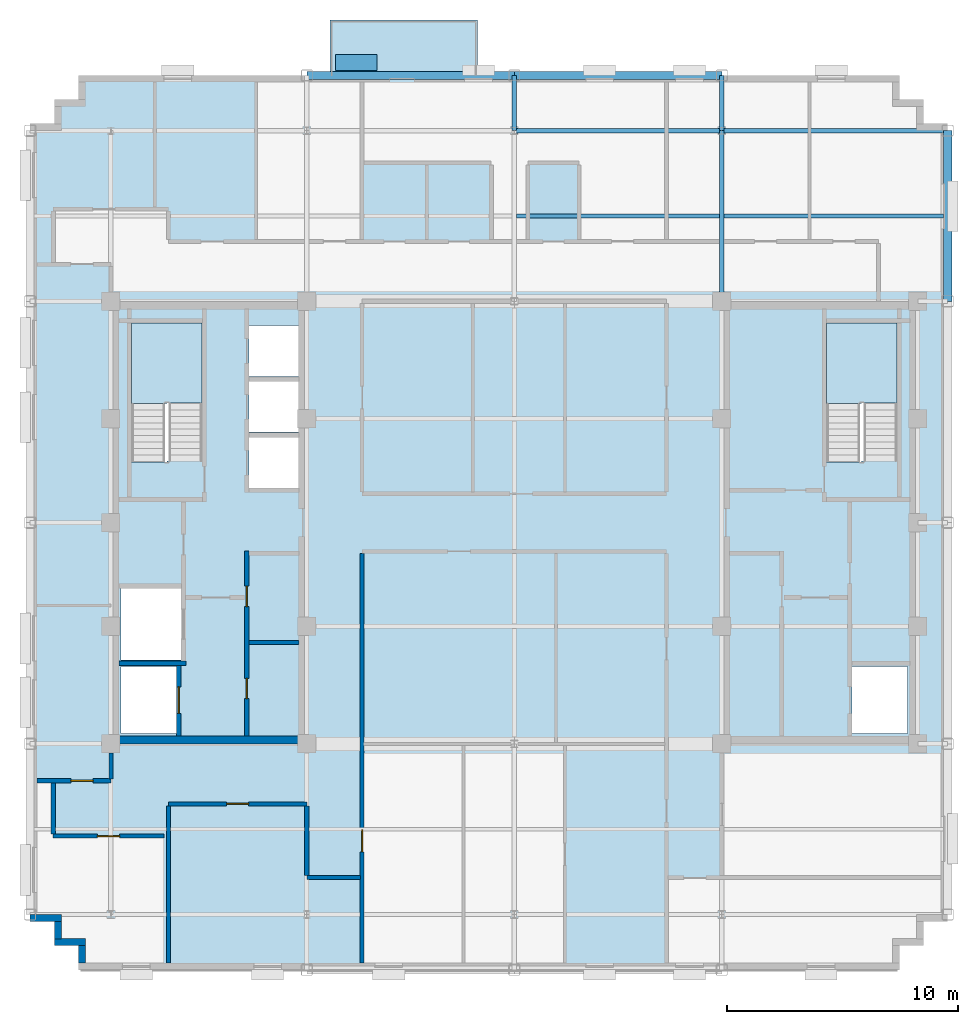
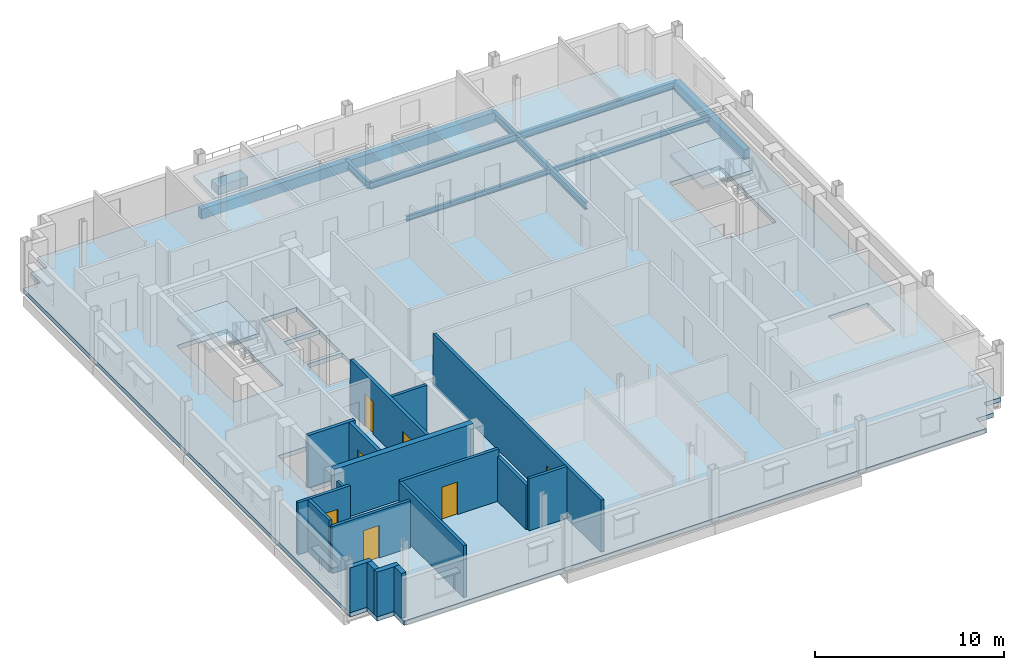
# One storey, part 5 of 14: 18 walls, 10 beams, 7 doors, 4 slabs, 1 plate, 7 openings, 2 elements without a shape of their own.
"""IFC4 building model written with IfcOpenShell, lengths in metres."""

from ifc_helpers import new_model, si_unit, direction, frame, frame_2d, origin, origin_2d, place, context, subcontext, project, spatial, polyline, rectangle, i_section, outline, extrude, source, transform, mapped, material, layer, layer_set, material_profile, profile_set, type_object, type_shapes, element, fill, aggregate, save


model = new_model("IFC4")

# Units and contexts
model_context = context("Model", 3, precision=1e-05, world=origin(), true_north=direction((0.0, 1.0)))
body_context = subcontext(model_context, "Body", "Model", "MODEL_VIEW")
ifc_project = project(units=[si_unit("LENGTHUNIT", "METRE"), si_unit("AREAUNIT", "SQUARE_METRE"), si_unit("VOLUMEUNIT", "CUBIC_METRE"), si_unit("PLANEANGLEUNIT", "RADIAN"), si_unit("MASSUNIT", "GRAM", prefix="KILO")], contexts=[model_context])

# Site, building, storey
site_placement = place(None, origin())
site = spatial("IfcSite", under=ifc_project, at=site_placement, CompositionType="ELEMENT")
building_placement = place(site_placement, origin())
building = spatial("IfcBuilding", under=site, at=building_placement, Name="Nuvemarco Arch Tower", CompositionType="ELEMENT")
storey_placement = place(building_placement, frame((0.0, 0.0, 268.89990234375)))
storey = spatial("IfcBuildingStorey", under=building, at=storey_placement, Name="L71", CompositionType="ELEMENT", Elevation=268.89990234375)

# Beams
ifc_material_1 = material(Name="Steel S355", Category="steel")
ifc_material_profile_1 = material_profile(ifc_material_1, i_section(OverallWidth=0.19189453125, OverallDepth=0.462890625, WebThickness=0.010498046875, FlangeThickness=0.017578125, FilletRadius=0.014892578125, at=origin_2d()), Name="W460x89")
ifc_profile_set_1 = profile_set([ifc_material_profile_1], Name="Steel S355")
beam_type_1 = type_object("IfcBeamType", Name="BM-GIRD-460", PredefinedType="BEAM", material=ifc_profile_set_1)
beam_1_placement = place(storey_placement, frame((0.0, 17.0, -0.511474609375), z_axis=(0.0, 1.0, 0.0), x_axis=(-1.0, 0.0, 0.0)))
element("IfcBeam", 1, at=beam_1_placement, inside=storey, type_object=beam_type_1, Name="L71 structural beam BGNS_L71_0_+0.0_+17.0", PredefinedType="BEAM", context=body_context, shape_type="SweptSolid", body=[
    extrude(i_section(OverallWidth=0.19189453125, OverallDepth=0.462890625, WebThickness=0.010498046875, FlangeThickness=0.017578125, FilletRadius=0.014892578125, at=origin_2d()), origin(), (0.0, 0.0, 1.0), 2.39990234375),
])
beam_2_placement = place(storey_placement, frame((9.0, 9.60009765625, -0.511474609375), z_axis=(0.0, 1.0, 0.0), x_axis=(-1.0, 0.0, 0.0)))
element("IfcBeam", 2, at=beam_2_placement, inside=storey, type_object=beam_type_1, Name="L71 structural beam BGNS_L71_0_+9.0_+9.6", PredefinedType="BEAM", context=body_context, shape_type="SweptSolid", body=[
    extrude(i_section(OverallWidth=0.19189453125, OverallDepth=0.462890625, WebThickness=0.010498046875, FlangeThickness=0.017578125, FilletRadius=0.014892578125, at=origin_2d()), origin(), (0.0, 0.0, 1.0), 7.39990234375),
])
beam_3_placement = place(storey_placement, frame((9.0, 17.0, -0.511474609375), z_axis=(0.0, 1.0, 0.0), x_axis=(-1.0, 0.0, 0.0)))
element("IfcBeam", 3, at=beam_3_placement, inside=storey, type_object=beam_type_1, Name="L71 structural beam BGNS_L71_0_+9.0_+17.0", PredefinedType="BEAM", context=body_context, shape_type="SweptSolid", body=[
    extrude(i_section(OverallWidth=0.19189453125, OverallDepth=0.462890625, WebThickness=0.010498046875, FlangeThickness=0.017578125, FilletRadius=0.014892578125, at=origin_2d()), origin(), (0.0, 0.0, 1.0), 2.39990234375),
])
beam_4_placement = place(storey_placement, frame((0.0, 17.0, -0.511474609375), z_axis=(1.0, 0.0, 0.0), x_axis=(0.0, 1.0, 0.0)))
element("IfcBeam", 4, at=beam_4_placement, inside=storey, type_object=beam_type_1, Name="L71 structural beam BGEW_L71_0_+17.0_+0.0", PredefinedType="BEAM", context=body_context, shape_type="SweptSolid", body=[
    extrude(i_section(OverallWidth=0.19189453125, OverallDepth=0.462890625, WebThickness=0.010498046875, FlangeThickness=0.017578125, FilletRadius=0.014892578125, at=origin_2d()), origin(), (0.0, 0.0, 1.0), 9.0),
])
beam_5_placement = place(storey_placement, frame((9.0, 17.0, -0.511474609375), z_axis=(1.0, 0.0, 0.0), x_axis=(0.0, 1.0, 0.0)))
element("IfcBeam", 5, at=beam_5_placement, inside=storey, type_object=beam_type_1, Name="L71 structural beam BGEW_L71_0_+17.0_+9.0", PredefinedType="BEAM", context=body_context, shape_type="SweptSolid", body=[
    extrude(i_section(OverallWidth=0.19189453125, OverallDepth=0.462890625, WebThickness=0.010498046875, FlangeThickness=0.017578125, FilletRadius=0.014892578125, at=origin_2d()), origin(), (0.0, 0.0, 1.0), 9.800048828125),
])
ifc_material_profile_2 = material_profile(ifc_material_1, i_section(OverallWidth=0.1669921875, OverallDepth=0.31689453125, WebThickness=0.007568359375, FlangeThickness=0.01318359375, FilletRadius=0.010009765625, at=origin_2d()), Name="W310x52")
ifc_profile_set_2 = profile_set([ifc_material_profile_2], Name="Steel S355")
beam_type_2 = type_object("IfcBeamType", Name="BM-JOIST-310", PredefinedType="JOIST", material=ifc_profile_set_2)
beam_6_placement = place(storey_placement, frame((0.095947265625, 13.300048828125, -0.4384765625), z_axis=(1.0, 0.0, 0.0), x_axis=(0.0, 1.0, 0.0)))
element("IfcBeam", 6, at=beam_6_placement, inside=storey, type_object=beam_type_2, Name="L71 structural beam BJ_L71_0_+13.3_+0.0", PredefinedType="JOIST", context=body_context, shape_type="SweptSolid", body=[
    extrude(i_section(OverallWidth=0.1669921875, OverallDepth=0.31689453125, WebThickness=0.007568359375, FlangeThickness=0.01318359375, FilletRadius=0.010009765625, at=origin_2d()), origin(), (0.0, 0.0, 1.0), 8.80810546875),
])
beam_7_placement = place(storey_placement, frame((9.095947265625, 13.300048828125, -0.4384765625), z_axis=(1.0, 0.0, 0.0), x_axis=(0.0, 1.0, 0.0)))
element("IfcBeam", 7, at=beam_7_placement, inside=storey, type_object=beam_type_2, Name="L71 structural beam BJ_L71_0_+13.3_+9.0", PredefinedType="JOIST", context=body_context, shape_type="SweptSolid", body=[
    extrude(i_section(OverallWidth=0.1669921875, OverallDepth=0.31689453125, WebThickness=0.007568359375, FlangeThickness=0.01318359375, FilletRadius=0.010009765625, at=origin_2d()), origin(), (0.0, 0.0, 1.0), 9.529052734375),
])
ifc_material_2 = material(Name="Precast concrete C45/55", Category="concrete")
ifc_material_profile_3 = material_profile(ifc_material_2, rectangle(XDim=0.35009765625, YDim=0.64990234375, at=origin_2d()), Name="PC-SP-350x650")
ifc_profile_set_3 = profile_set([ifc_material_profile_3], Name="Precast concrete C45/55")
beam_type_3 = type_object("IfcBeamType", Name="BM-SPAN-RC", PredefinedType="SPANDREL", material=ifc_profile_set_3)
beam_8_placement = place(storey_placement, frame((18.800048828125, 9.60009765625, -0.60498046875), z_axis=(0.0, 1.0, 0.0), x_axis=(-1.0, 0.0, 0.0)))
element("IfcBeam", 8, at=beam_8_placement, inside=storey, type_object=beam_type_3, Name="L71 structural beam BGNS_L71_0_+18.8_+9.6", PredefinedType="SPANDREL", context=body_context, shape_type="SweptSolid", body=[
    extrude(rectangle(XDim=0.35009765625, YDim=0.64990234375, at=origin_2d()), origin(), (0.0, 0.0, 1.0), 7.39990234375),
])
for number, where, z_axis, x_axis, name in (
    (9, (-9.0, 19.39990234375, -0.60498046875), (1.0, 0.0, 0.0), (0.0, 1.0, 0.0), "L71 structural beam BGEW_L71_0_+19.4_-9.0"),
    (10, (0.0, 19.39990234375, -0.60498046875), (1.0, 0.0, 0.0), (0.0, 1.0, 0.0), "L71 structural beam BGEW_L71_0_+19.4_+0.0"),
):
    element("IfcBeam", number, at=place(storey_placement, frame(where, z_axis=z_axis, x_axis=x_axis)), inside=storey, type_object=beam_type_3, Name=name, PredefinedType="SPANDREL", context=body_context, shape_type="SweptSolid", body=[
        extrude(rectangle(XDim=0.35009765625, YDim=0.64990234375, at=origin_2d()), origin(), (0.0, 0.0, 1.0), 9.0),
    ])

# Slab
ifc_material_3 = material(Name="Concrete C50/60", Category="concrete")
ifc_layer_1 = layer(ifc_material_3, 0.280029296875, Name="SL-FLR-280")
ifc_layer_set_1 = layer_set([ifc_layer_1], Name="Concrete C50/60")
slab_type_1 = type_object("IfcSlabType", Name="SL-FLR-280", PredefinedType="FLOOR", material=ifc_layer_set_1)
slab_1_placement = place(storey_placement, frame((0.0, 0.0, -0.27978515625)))
element("IfcSlab", 11, at=slab_1_placement, inside=storey, type_object=slab_type_1, Name="L71 structural floor slab", PredefinedType="FLOOR", context=body_context, shape_type="SweptSolid", body=[
    extrude(outline(polyline([(-18.89990234375, -19.39990234375), (16.699951171875, -19.39990234375), (16.699951171875, -18.35009765625), (17.75, -18.35009765625), (17.75, -17.300048828125), (18.800048828125, -17.300048828125), (18.800048828125, 17.300048828125), (17.75, 17.300048828125), (17.75, 18.35009765625), (16.699951171875, 18.35009765625), (16.699951171875, 19.39990234375), (-18.89990234375, 19.39990234375), (-18.89990234375, 18.35009765625), (-19.949951171875, 18.35009765625), (-19.949951171875, 17.300048828125), (-21.0, 17.300048828125), (-21.0, -17.300048828125), (-19.949951171875, -17.300048828125), (-19.949951171875, -18.35009765625), (-18.89990234375, -18.35009765625), (-18.89990234375, -19.39990234375)]), holes=[polyline([(-13.5400390625, 2.669921875), (-13.5400390625, 8.64990234375), (-16.60009765625, 8.64990234375), (-16.60009765625, 2.630615234375), (-15.070068359375, 2.630615234375), (-15.070068359375, 2.669921875), (-13.5400390625, 2.669921875)]), polyline([(16.60009765625, 2.669921875), (16.60009765625, 8.64990234375), (13.5400390625, 8.64990234375), (13.5400390625, 2.630615234375), (15.070068359375, 2.630615234375), (15.070068359375, 2.669921875), (16.60009765625, 2.669921875)]), polyline([(-17.050048828125, -9.14990234375), (-14.64990234375, -9.14990234375), (-14.64990234375, -6.25), (-17.050048828125, -6.25), (-17.050048828125, -9.14990234375)]), polyline([(-17.050048828125, -5.949951171875), (-14.449951171875, -5.949951171875), (-14.449951171875, -2.85009765625), (-17.050048828125, -2.85009765625), (-17.050048828125, -5.949951171875)]), polyline([(-11.5, 1.5), (-9.35009765625, 1.5), (-9.35009765625, 3.699951171875), (-11.5, 3.699951171875), (-11.5, 1.5)]), polyline([(-11.5, 3.919921875), (-9.35009765625, 3.919921875), (-9.35009765625, 6.1201171875), (-11.5, 6.1201171875), (-11.5, 3.919921875)]), polyline([(-11.5, 6.340087890625), (-9.35009765625, 6.340087890625), (-9.35009765625, 8.5400390625), (-11.5, 8.5400390625), (-11.5, 6.340087890625)]), polyline([(14.64990234375, -9.14990234375), (17.050048828125, -9.14990234375), (17.050048828125, -6.25), (14.64990234375, -6.25), (14.64990234375, -9.14990234375)])]), origin(), (0.0, 0.0, 1.0), 0.27978515625),
])

# Stair, slab
stair_type = type_object("IfcStairType", Name="ST-CORE-20R", PredefinedType="HALF_TURN_STAIR", material=ifc_material_2)
stair_1_placement = place(storey_placement, origin())
stair_1 = element("IfcStair", 12, at=stair_1_placement, inside=storey, type_object=stair_type, Name="L71 Protected Exit Stair ST-1", PredefinedType="HALF_TURN_STAIR")
ifc_layer_2 = layer(ifc_material_2, 0.199951171875, Name="SL-LANDING-200")
ifc_layer_set_2 = layer_set([ifc_layer_2], Name="Precast concrete C45/55")
slab_type_2 = type_object("IfcSlabType", Name="SL-LANDING-200", PredefinedType="LANDING", material=ifc_layer_set_2)
slab_2_placement = place(storey_placement, frame((0.0, 0.0, 1.625)))
slab_2 = element("IfcSlab", 13, at=slab_2_placement, type_object=slab_type_2, Name="ST-20R landing 1", PredefinedType="LANDING", context=body_context, shape_type="SweptSolid", body=[
    extrude(outline(polyline([(-13.5400390625, 5.189453125), (-13.5400390625, 8.64990234375), (-16.60009765625, 8.64990234375), (-16.60009765625, 5.169921875), (-15.070068359375, 5.169921875), (-15.070068359375, 5.189453125), (-13.5400390625, 5.189453125)])), origin(), (0.0, 0.0, 1.0), 0.2001953125),
])
aggregate(stair_1, [slab_2])

stair_2_placement = place(storey_placement, origin())
stair_2 = element("IfcStair", 14, at=stair_2_placement, inside=storey, type_object=stair_type, Name="L71 Protected Exit Stair ST-2", PredefinedType="HALF_TURN_STAIR")
slab_3_placement = place(storey_placement, frame((0.0, 0.0, 1.625)))
slab_3 = element("IfcSlab", 15, at=slab_3_placement, type_object=slab_type_2, Name="ST-20R landing 1", PredefinedType="LANDING", context=body_context, shape_type="SweptSolid", body=[
    extrude(outline(polyline([(16.60009765625, 5.189453125), (16.60009765625, 8.64990234375), (13.5400390625, 8.64990234375), (13.5400390625, 5.169921875), (15.070068359375, 5.169921875), (15.070068359375, 5.189453125), (16.60009765625, 5.189453125)])), origin(), (0.0, 0.0, 1.0), 0.2001953125),
])
aggregate(stair_2, [slab_3])

# Slab
ifc_layer_3 = layer(ifc_material_3, 0.294921875, Name="SL-TR4")
ifc_layer_set_3 = layer_set([ifc_layer_3], Name="Concrete C50/60")
slab_type_3 = type_object("IfcSlabType", Name="SL-TR4", PredefinedType="FLOOR", material=ifc_layer_set_3)
slab_4_placement = place(storey_placement, frame((0.0, 0.0, -0.294921875)))
element("IfcSlab", 16, at=slab_4_placement, inside=storey, type_object=slab_type_3, Name="L71 outdoor spiral terrace slab 1", PredefinedType="FLOOR", context=body_context, shape_type="SweptSolid", body=[
    extrude(outline(polyline([(-8.0, 19.39990234375), (-1.60009765625, 19.39990234375), (-1.60009765625, 21.800048828125), (-8.0, 21.800048828125), (-8.0, 19.39990234375)])), origin(), (0.0, 0.0, 1.0), 0.294921875),
])

# Plate
ifc_layer_4 = layer(ifc_material_2, 0.550048828125, Name="Tree Balcony Structural Planter")
ifc_layer_set_4 = layer_set([ifc_layer_4], Name="Precast concrete C45/55")
plate_type = type_object("IfcPlateType", Name="Tree Balcony Structural Planter", PredefinedType="USERDEFINED", material=ifc_layer_set_4)
shared_shape_1 = source(origin(), body_context, "Body", "SweptSolid", [
    extrude(rectangle(XDim=1.800048828125, YDim=0.699951171875, at=origin_2d()), origin(), (0.0, 0.0, 1.0), 0.550048828125),
])
type_shapes(plate_type, [shared_shape_1])
plate_placement = place(storey_placement, frame((-6.85009765625, 19.949951171875, 0.0), z_axis=(0.0, 0.0, 1.0), x_axis=(1.0, 0.0, 0.0)))
element("IfcPlate", 17, at=plate_placement, inside=storey, type_object=plate_type, Name="L71 Tree Balcony Structural Planter", ObjectType="PLANTER", PredefinedType="USERDEFINED", context=body_context, shape_type="MappedRepresentation", body=[
    mapped(shared_shape_1, transform((0.0, 0.0, 0.0), scale=1.0)),
])

# Walls
ifc_layer_5 = layer(ifc_material_2, 0.300048828125, Name="EW-HIGH-300")
ifc_layer_set_5 = layer_set([ifc_layer_5], Name="Precast concrete C45/55")
wall_type_1 = type_object("IfcWallType", Name="EW-HIGH-300", PredefinedType="STANDARD", material=ifc_layer_set_5)
wall_1_placement = place(storey_placement, frame((-21.0, -17.14990234375, 0.0), z_axis=(0.0, 0.0, 1.0), x_axis=(1.0, 0.0, 0.0)))
element("IfcWall", 18, at=wall_1_placement, inside=storey, type_object=wall_type_1, Name="L71 exterior precast facade wall 17", PredefinedType="STANDARD", context=body_context, shape_type="SweptSolid", body=[
    extrude(rectangle(XDim=1.35009765625, YDim=0.300048828125, at=frame_2d((0.675048828125, 0.0))), origin(), (0.0, 0.0, 1.0), 2.89208984375),
])
wall_2_placement = place(storey_placement, frame((-19.800048828125, -18.053955078125, 0.0), z_axis=(0.0, 0.0, 1.0), x_axis=(0.0, 1.0, 0.0)))
element("IfcWall", 19, at=wall_2_placement, inside=storey, type_object=wall_type_1, Name="L71 exterior precast facade wall 18", PredefinedType="STANDARD", context=body_context, shape_type="SweptSolid", body=[
    extrude(rectangle(XDim=0.758056640625, YDim=0.300048828125, at=frame_2d((0.37890625, 0.0))), origin(), (0.0, 0.0, 1.0), 2.89208984375),
])
wall_3_placement = place(storey_placement, frame((-19.949951171875, -18.199951171875, 0.0), z_axis=(0.0, 0.0, 1.0), x_axis=(1.0, 0.0, 0.0)))
element("IfcWall", 20, at=wall_3_placement, inside=storey, type_object=wall_type_1, Name="L71 exterior precast facade wall 19", PredefinedType="STANDARD", context=body_context, shape_type="SweptSolid", body=[
    extrude(rectangle(XDim=1.349853515625, YDim=0.300048828125, at=frame_2d((0.6748046875, 0.0))), origin(), (0.0, 0.0, 1.0), 2.89208984375),
])
wall_4_placement = place(storey_placement, frame((-18.75, -19.10400390625, 0.0), z_axis=(0.0, 0.0, 1.0), x_axis=(0.0, 1.0, 0.0)))
element("IfcWall", 21, at=wall_4_placement, inside=storey, type_object=wall_type_1, Name="L71 exterior precast facade wall 20", PredefinedType="STANDARD", context=body_context, shape_type="SweptSolid", body=[
    extrude(rectangle(XDim=0.758056640625, YDim=0.300048828125, at=frame_2d((0.37890625, 0.0))), origin(), (0.0, 0.0, 1.0), 2.89208984375),
])
ifc_layer_6 = layer(ifc_material_3, 0.35009765625, Name="WL-CORE-350")
ifc_layer_set_6 = layer_set([ifc_layer_6], Name="Concrete C50/60")
wall_type_2 = type_object("IfcWallType", Name="WL-CORE-350", PredefinedType="SHEAR", material=ifc_layer_set_6)
wall_5_placement = place(storey_placement, frame((-17.5, -9.425048828125, 0.0), z_axis=(0.0, 0.0, 1.0), x_axis=(1.0, 0.0, 0.0)))
element("IfcWall", 22, at=wall_5_placement, inside=storey, type_object=wall_type_2, Name="L71 W-core shear wall S", PredefinedType="SHEAR", context=body_context, shape_type="SweptSolid", body=[
    extrude(rectangle(XDim=8.5, YDim=0.35009765625, at=frame_2d((4.25, 0.0))), origin(), (0.0, 0.0, 1.0), 3.3701171875),
])
ifc_material_4 = material(Name="Fire-rated gypsum drywall partition")
ifc_layer_7 = layer(ifc_material_4, 0.179931640625, Name="WL-CORR-180")
ifc_layer_set_7 = layer_set([ifc_layer_7], Name="Fire-rated gypsum drywall partition")
wall_type_3 = type_object("IfcWallType", Name="WL-CORR-180", PredefinedType="PARTITIONING", material=ifc_layer_set_7)
wall_6_placement = place(storey_placement, frame((-11.5048828125, -5.199951171875, 0.0), z_axis=(0.0, 0.0, 1.0), x_axis=(1.0, 0.0, 0.0)))
element("IfcWall", 23, at=wall_6_placement, inside=storey, type_object=wall_type_3, Name="L71 interior wall IW-L71-W-RECK1", PredefinedType="PARTITIONING", context=body_context, shape_type="SweptSolid", body=[
    extrude(rectangle(XDim=2.159912109375, YDim=0.179931640625, at=frame_2d((1.080078125, 0.0))), origin(), (0.0, 0.0, 1.0), 3.360107421875),
])
wall_7_placement = place(storey_placement, frame((-9.0, -15.39990234375, 0.0), z_axis=(0.0, 0.0, 1.0), x_axis=(1.0, 0.0, 0.0)))
element("IfcWall", 24, at=wall_7_placement, inside=storey, type_object=wall_type_3, Name="L71 interior wall IW-L71-001", PredefinedType="PARTITIONING", context=body_context, shape_type="SweptSolid", body=[
    extrude(rectangle(XDim=2.333984375, YDim=0.179931640625, at=frame_2d((1.1669921875, 0.0))), origin(), (0.0, 0.0, 1.0), 3.360107421875),
])

# Wall, opening, door
wall_8_placement = place(storey_placement, frame((-20.0, -13.60009765625, 0.0), z_axis=(0.0, 0.0, 1.0), x_axis=(1.0, 0.0, 0.0)))
wall_8 = element("IfcWall", 25, at=wall_8_placement, inside=storey, type_object=wall_type_3, Name="L71 interior wall IW-L71-003", PredefinedType="PARTITIONING", context=body_context, shape_type="SweptSolid", body=[
    extrude(rectangle(XDim=4.800048828125, YDim=0.179931640625, at=frame_2d((2.39990234375, 0.0))), origin(), (0.0, 0.0, 1.0), 3.0380859375),
])
opening_1_placement = place(wall_8_placement, frame((1.919921875, 0.0, 0.0)))
opening_1 = element("IfcOpeningElement", 26, at=opening_1_placement, cuts=wall_8, Name="Opening FD-5", PredefinedType="OPENING", context=body_context, shape_type="SweptSolid", body=[
    extrude(rectangle(XDim=0.9599609375, YDim=2.10009765625, at=frame_2d((0.47998046875, 1.050048828125))), frame((0.0, 0.099853515625, 0.0), z_axis=(0.0, -1.0, 0.0), x_axis=(1.0, 0.0, 0.0)), (0.0, 0.0, 1.0), 0.199951171875),
])
ifc_material_5 = material(Name="Timber fire door", Category="wood")
door_type_1 = type_object("IfcDoorType", Name="DR-CORR-FD", OperationType="NOTDEFINED", PredefinedType="DOOR", material=ifc_material_5)
shared_shape_2 = source(origin(), body_context, "Body", "SweptSolid", [
    extrude(rectangle(XDim=0.9599609375, YDim=2.10009765625, at=frame_2d((0.47998046875, 1.050048828125))), frame((0.0, 0.02490234375, 0.0), z_axis=(0.0, -1.0, 0.0), x_axis=(1.0, 0.0, 0.0)), (0.0, 0.0, 1.0), 0.050048828125),
])
type_shapes(door_type_1, [shared_shape_2])
door_1_placement = place(opening_1_placement, origin())
door_1 = element("IfcDoor", 27, at=door_1_placement, inside=storey, type_object=door_type_1, Name="L71 door DR-L71-S_1", OperationType="SINGLE_SWING_RIGHT", OverallHeight=2.10009765625, OverallWidth=0.9599609375, PredefinedType="DOOR", context=body_context, shape_type="MappedRepresentation", body=[
    mapped(shared_shape_2, transform((0.0, 0.0, 0.0), scale=1.0)),
])
fill(opening_1, door_1)

wall_9_placement = place(storey_placement, frame((-15.0, -12.199951171875, 0.0), z_axis=(0.0, 0.0, 1.0), x_axis=(1.0, 0.0, 0.0)))
wall_9 = element("IfcWall", 28, at=wall_9_placement, inside=storey, type_object=wall_type_3, Name="L71 interior wall IW-L71-004", PredefinedType="PARTITIONING", context=body_context, shape_type="SweptSolid", body=[
    extrude(rectangle(XDim=6.0, YDim=0.179931640625, at=frame_2d((3.0, 0.0))), origin(), (0.0, 0.0, 1.0), 3.360107421875),
])
opening_2_placement = place(wall_9_placement, frame((2.52001953125, 0.0, 0.0)))
opening_2 = element("IfcOpeningElement", 29, at=opening_2_placement, cuts=wall_9, Name="Opening FD-5", PredefinedType="OPENING", context=body_context, shape_type="SweptSolid", body=[
    extrude(rectangle(XDim=0.9599609375, YDim=2.10009765625, at=frame_2d((0.47998046875, 1.050048828125))), frame((0.0, 0.099853515625, 0.0), z_axis=(0.0, -1.0, 0.0), x_axis=(1.0, 0.0, 0.0)), (0.0, 0.0, 1.0), 0.199951171875),
])
door_2_placement = place(opening_2_placement, origin())
door_2 = element("IfcDoor", 30, at=door_2_placement, inside=storey, type_object=door_type_1, Name="L71 door DR-L71-S_2", OperationType="SINGLE_SWING_LEFT", OverallHeight=2.10009765625, OverallWidth=0.9599609375, PredefinedType="DOOR", context=body_context, shape_type="MappedRepresentation", body=[
    mapped(shared_shape_2, transform((0.0, 0.0, 0.0), scale=1.0)),
])
fill(opening_2, door_2)

wall_10_placement = place(storey_placement, frame((-20.699951171875, -11.199951171875, 0.0), z_axis=(0.0, 0.0, 1.0), x_axis=(1.0, 0.0, 0.0)))
wall_10 = element("IfcWall", 31, at=wall_10_placement, inside=storey, type_object=wall_type_3, Name="L71 interior wall IW-L71-005", PredefinedType="PARTITIONING", context=body_context, shape_type="SweptSolid", body=[
    extrude(rectangle(XDim=3.199951171875, YDim=0.179931640625, at=frame_2d((1.60009765625, 0.0))), origin(), (0.0, 0.0, 1.0), 3.360107421875),
])
opening_3_placement = place(wall_10_placement, frame((1.469970703125, 0.0, 0.0)))
opening_3 = element("IfcOpeningElement", 32, at=opening_3_placement, cuts=wall_10, Name="Opening FD-5", PredefinedType="OPENING", context=body_context, shape_type="SweptSolid", body=[
    extrude(rectangle(XDim=0.9599609375, YDim=2.10009765625, at=frame_2d((0.47998046875, 1.050048828125))), frame((0.0, 0.099853515625, 0.0), z_axis=(0.0, -1.0, 0.0), x_axis=(1.0, 0.0, 0.0)), (0.0, 0.0, 1.0), 0.199951171875),
])
door_3_placement = place(opening_3_placement, origin())
door_3 = element("IfcDoor", 33, at=door_3_placement, inside=storey, type_object=door_type_1, Name="L71 door DR-L71-W_1", OperationType="SINGLE_SWING_RIGHT", OverallHeight=2.10009765625, OverallWidth=0.9599609375, PredefinedType="DOOR", context=body_context, shape_type="MappedRepresentation", body=[
    mapped(shared_shape_2, transform((0.0, 0.0, 0.0), scale=1.0)),
])
fill(opening_3, door_3)

# Walls
wall_11_placement = place(storey_placement, frame((-20.0, -13.513916015625, 0.0), z_axis=(0.0, 0.0, 1.0), x_axis=(0.0, 1.0, 0.0)))
element("IfcWall", 34, at=wall_11_placement, inside=storey, type_object=wall_type_3, Name="L71 interior wall IW-L71-018", PredefinedType="PARTITIONING", context=body_context, shape_type="SweptSolid", body=[
    extrude(rectangle(XDim=2.22802734375, YDim=0.179931640625, at=frame_2d((1.114013671875, 0.0))), origin(), (0.0, 0.0, 1.0), 3.360107421875),
])
wall_12_placement = place(storey_placement, frame((-17.5, -11.114013671875, 0.0), z_axis=(0.0, 0.0, 1.0), x_axis=(0.0, 1.0, 0.0)))
element("IfcWall", 35, at=wall_12_placement, inside=storey, type_object=wall_type_3, Name="L71 interior wall IW-L71-020", PredefinedType="PARTITIONING", context=body_context, shape_type="SweptSolid", body=[
    extrude(rectangle(XDim=1.117919921875, YDim=0.179931640625, at=frame_2d((0.55908203125, 0.0))), origin(), (0.0, 0.0, 1.0), 2.89208984375),
])
wall_13_placement = place(storey_placement, frame((-15.0, -19.10009765625, 0.0), z_axis=(0.0, 0.0, 1.0), x_axis=(0.0, 1.0, 0.0)))
element("IfcWall", 36, at=wall_13_placement, inside=storey, type_object=wall_type_3, Name="L71 interior wall IW-L71-023", PredefinedType="PARTITIONING", context=body_context, shape_type="SweptSolid", body=[
    extrude(rectangle(XDim=6.814208984375, YDim=0.179931640625, at=frame_2d((3.4072265625, 0.0))), origin(), (0.0, 0.0, 1.0), 3.360107421875),
])
wall_14_placement = place(storey_placement, frame((-9.0, -15.31396484375, 0.0), z_axis=(0.0, 0.0, 1.0), x_axis=(0.0, 1.0, 0.0)))
element("IfcWall", 37, at=wall_14_placement, inside=storey, type_object=wall_type_3, Name="L71 interior wall IW-L71-026", PredefinedType="PARTITIONING", context=body_context, shape_type="SweptSolid", body=[
    extrude(rectangle(XDim=3.028076171875, YDim=0.179931640625, at=frame_2d((1.51416015625, 0.0))), origin(), (0.0, 0.0, 1.0), 2.89208984375),
])

# Wall, opening, door
wall_15_placement = place(storey_placement, frame((-6.60009765625, -19.10009765625, 0.0), z_axis=(0.0, 0.0, 1.0), x_axis=(0.0, 1.0, 0.0)))
wall_15 = element("IfcWall", 38, at=wall_15_placement, inside=storey, type_object=wall_type_3, Name="L71 interior wall IW-L71-027", PredefinedType="PARTITIONING", context=body_context, shape_type="SweptSolid", body=[
    extrude(rectangle(XDim=17.76416015625, YDim=0.179931640625, at=frame_2d((8.882080078125, 0.0))), origin(), (0.0, 0.0, 1.0), 3.360107421875),
])
opening_4_placement = place(wall_15_placement, frame((4.820068359375, 0.0, 0.0)))
opening_4 = element("IfcOpeningElement", 39, at=opening_4_placement, cuts=wall_15, Name="Opening FD-5", PredefinedType="OPENING", context=body_context, shape_type="SweptSolid", body=[
    extrude(rectangle(XDim=0.9599609375, YDim=2.10009765625, at=frame_2d((0.47998046875, 1.050048828125))), frame((0.0, 0.099853515625, 0.0), z_axis=(0.0, -1.0, 0.0), x_axis=(1.0, 0.0, 0.0)), (0.0, 0.0, 1.0), 0.199951171875),
])
door_4_placement = place(opening_4_placement, origin())
door_4 = element("IfcDoor", 40, at=door_4_placement, inside=storey, type_object=door_type_1, Name="L71 door DR-L71-S_3", OperationType="SINGLE_SWING_RIGHT", OverallHeight=2.10009765625, OverallWidth=0.9599609375, PredefinedType="DOOR", context=body_context, shape_type="MappedRepresentation", body=[
    mapped(shared_shape_2, transform((0.0, 0.0, 0.0), scale=1.0)),
])
fill(opening_4, door_4)

ifc_layer_8 = layer(ifc_material_3, 0.199951171875, Name="WL-SHAFT-220")
ifc_layer_set_8 = layer_set([ifc_layer_8], Name="Concrete C50/60")
wall_type_4 = type_object("IfcWallType", Name="WL-SHAFT-220", PredefinedType="SHEAR", material=ifc_layer_set_8)
wall_16_placement = place(storey_placement, frame((-14.550048828125, -9.2548828125, 0.0), z_axis=(0.0, 0.0, 1.0), x_axis=(0.0, 1.0, 0.0)))
wall_16 = element("IfcWall", 41, at=wall_16_placement, inside=storey, type_object=wall_type_4, Name="L71 structural shaft wall SW-L71-W-SHE", PredefinedType="SHEAR", context=body_context, shape_type="SweptSolid", body=[
    extrude(rectangle(XDim=3.059814453125, YDim=0.199951171875, at=frame_2d((1.52978515625, 0.0))), origin(), (0.0, 0.0, 1.0), 3.3701171875),
])
opening_5_placement = place(wall_16_placement, frame((0.97998046875, 0.0, 0.0)))
opening_5 = element("IfcOpeningElement", 42, at=opening_5_placement, cuts=wall_16, Name="Opening LD-2", PredefinedType="OPENING", context=body_context, shape_type="SweptSolid", body=[
    extrude(rectangle(XDim=1.14990234375, YDim=2.14990234375, at=frame_2d((0.574951171875, 1.074951171875))), frame((0.0, 0.10986328125, 0.0), z_axis=(0.0, -1.0, 0.0), x_axis=(1.0, 0.0, 0.0)), (0.0, 0.0, 1.0), 0.219970703125),
])
ifc_material_6 = material(Name="Stainless steel lift door", Category="steel")
door_type_2 = type_object("IfcDoorType", Name="DR-LIFT-FIRE", OperationType="DOUBLE_DOOR_SLIDING", PredefinedType="DOOR", material=ifc_material_6)
shared_shape_3 = source(origin(), body_context, "Body", "SweptSolid", [
    extrude(rectangle(XDim=1.14990234375, YDim=2.14990234375, at=frame_2d((0.574951171875, 1.074951171875))), frame((0.0, 0.02490234375, 0.0), z_axis=(0.0, -1.0, 0.0), x_axis=(1.0, 0.0, 0.0)), (0.0, 0.0, 1.0), 0.050048828125),
])
type_shapes(door_type_2, [shared_shape_3])
door_5_placement = place(opening_5_placement, origin())
door_5 = element("IfcDoor", 43, at=door_5_placement, inside=storey, type_object=door_type_2, Name="L71 Lift landing sliding door FFL-1", OperationType="DOUBLE_DOOR_SLIDING", OverallHeight=2.14990234375, OverallWidth=1.14990234375, PredefinedType="DOOR", context=body_context, shape_type="MappedRepresentation", body=[
    mapped(shared_shape_3, transform((0.0, 0.0, 0.0), scale=1.0)),
])
fill(opening_5, door_5)

# Wall
wall_17_placement = place(storey_placement, frame((-17.155029296875, -6.10009765625, 0.0), z_axis=(0.0, 0.0, 1.0), x_axis=(1.0, 0.0, 0.0)))
element("IfcWall", 44, at=wall_17_placement, inside=storey, type_object=wall_type_4, Name="L71 structural shaft wall SW-L71-W-SH1", PredefinedType="SHEAR", context=body_context, shape_type="SweptSolid", body=[
    extrude(rectangle(XDim=2.905029296875, YDim=0.199951171875, at=frame_2d((1.45263671875, 0.0))), origin(), (0.0, 0.0, 1.0), 3.3701171875),
])

# Wall, openings, doors
wall_18_placement = place(storey_placement, frame((-11.60009765625, -9.2548828125, 0.0), z_axis=(0.0, 0.0, 1.0), x_axis=(0.0, 1.0, 0.0)))
wall_18 = element("IfcWall", 45, at=wall_18_placement, inside=storey, type_object=wall_type_4, Name="L71 structural shaft wall SW-L71-W-PLW", PredefinedType="SHEAR", context=body_context, shape_type="SweptSolid", body=[
    extrude(rectangle(XDim=8.02490234375, YDim=0.199951171875, at=frame_2d((4.012451171875, 0.0))), origin(), (0.0, 0.0, 1.0), 3.3701171875),
])
opening_6_placement = place(wall_18_placement, frame((1.614990234375, 0.0, 0.0)))
opening_6 = element("IfcOpeningElement", 46, at=opening_6_placement, cuts=wall_18, Name="Opening FD-4", PredefinedType="OPENING", context=body_context, shape_type="SweptSolid", body=[
    extrude(rectangle(XDim=0.8798828125, YDim=2.10009765625, at=frame_2d((0.43994140625, 1.050048828125))), frame((0.0, 0.10986328125, 0.0), z_axis=(0.0, -1.0, 0.0), x_axis=(1.0, 0.0, 0.0)), (0.0, 0.0, 1.0), 0.219970703125),
])
opening_7_placement = place(wall_18_placement, frame((5.614990234375, 0.0, 0.0)))
opening_7 = element("IfcOpeningElement", 47, at=opening_7_placement, cuts=wall_18, Name="Opening FD-4", PredefinedType="OPENING", context=body_context, shape_type="SweptSolid", body=[
    extrude(rectangle(XDim=0.8798828125, YDim=2.10009765625, at=frame_2d((0.43994140625, 1.050048828125))), frame((0.0, 0.10986328125, 0.0), z_axis=(0.0, -1.0, 0.0), x_axis=(1.0, 0.0, 0.0)), (0.0, 0.0, 1.0), 0.219970703125),
])
ifc_material_7 = material(Name="Anodised steel fire door", Category="steel")
door_type_3 = type_object("IfcDoorType", Name="DR-RISER-FD", OperationType="NOTDEFINED", PredefinedType="DOOR", material=ifc_material_7)
shared_shape_4 = source(origin(), body_context, "Body", "SweptSolid", [
    extrude(rectangle(XDim=0.8798828125, YDim=2.10009765625, at=frame_2d((0.43994140625, 1.050048828125))), frame((0.0, 0.02490234375, 0.0), z_axis=(0.0, -1.0, 0.0), x_axis=(1.0, 0.0, 0.0)), (0.0, 0.0, 1.0), 0.050048828125),
])
type_shapes(door_type_3, [shared_shape_4])
door_6_placement = place(opening_6_placement, origin())
door_6 = element("IfcDoor", 48, at=door_6_placement, inside=storey, type_object=door_type_3, Name="L71 door FD-L71-WREC1", OperationType="SINGLE_SWING_LEFT", OverallHeight=2.10009765625, OverallWidth=0.8798828125, PredefinedType="DOOR", context=body_context, shape_type="MappedRepresentation", body=[
    mapped(shared_shape_4, transform((0.0, 0.0, 0.0), scale=1.0)),
])
fill(opening_6, door_6)
door_7_placement = place(opening_7_placement, origin())
door_7 = element("IfcDoor", 49, at=door_7_placement, inside=storey, type_object=door_type_3, Name="L71 door FD-L71-WREC2", OperationType="SINGLE_SWING_RIGHT", OverallHeight=2.10009765625, OverallWidth=0.8798828125, PredefinedType="DOOR", context=body_context, shape_type="MappedRepresentation", body=[
    mapped(shared_shape_4, transform((0.0, 0.0, 0.0), scale=1.0)),
])
fill(opening_7, door_7)

save(model, "model.ifc")
